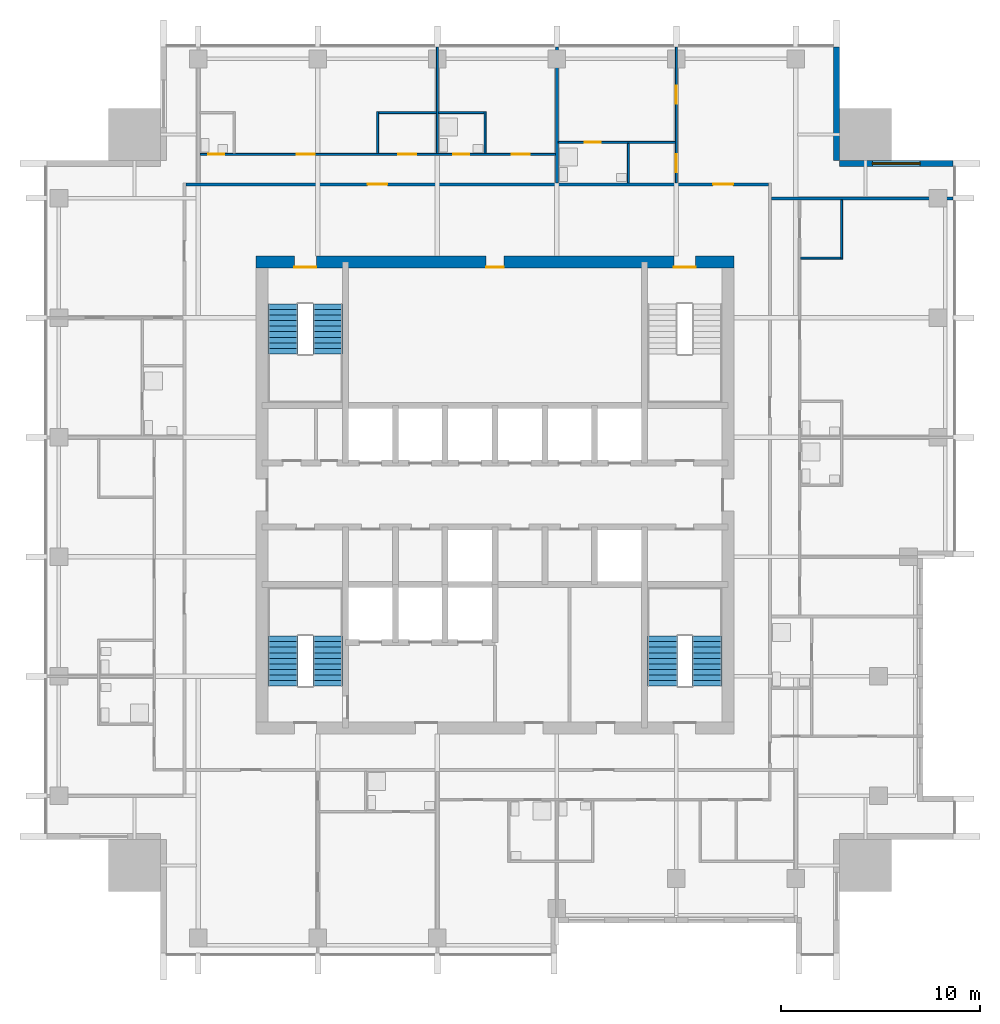
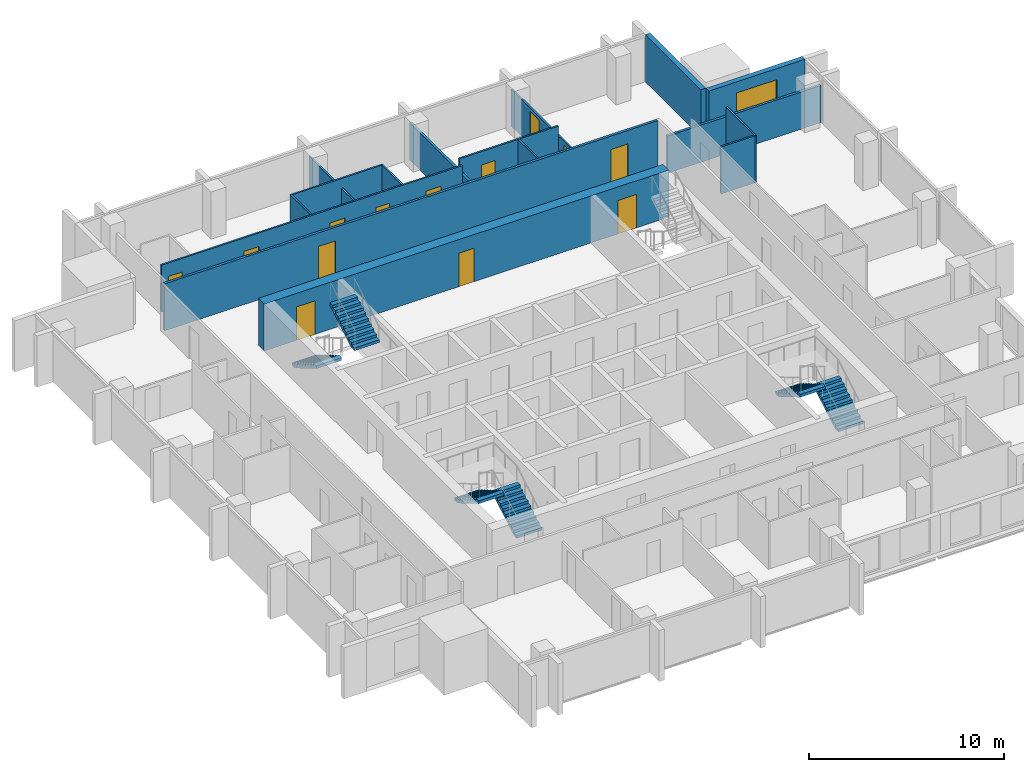
# One storey, part 7 of 10: 16 walls, 13 doors, 6 stair flights, 1 window, 14 openings, 3 elements without a shape of their own.
"""IFC4 building model written with IfcOpenShell, lengths in metres."""

from ifc_helpers import new_model, si_unit, direction, frame, frame_2d, origin, place, context, subcontext, project, spatial, polyline, rectangle, outline, extrude, material, layer, layer_set, type_object, element, fill, aggregate, save


model = new_model("IFC4")

# Units and contexts
model_context = context("Model", 3, precision=1e-05, world=origin(), true_north=direction((0.0, 1.0)))
body_context = subcontext(model_context, "Body", "Model", "MODEL_VIEW")
ifc_project = project(units=[si_unit("LENGTHUNIT", "METRE"), si_unit("AREAUNIT", "SQUARE_METRE"), si_unit("VOLUMEUNIT", "CUBIC_METRE"), si_unit("PLANEANGLEUNIT", "RADIAN"), si_unit("MASSUNIT", "GRAM", prefix="KILO")], contexts=[model_context])

# Site, building, storey
site_placement = place(None, origin())
site = spatial("IfcSite", under=ifc_project, at=site_placement, CompositionType="ELEMENT")
building_placement = place(site_placement, origin())
building = spatial("IfcBuilding", under=site, at=building_placement, Name="Amberfall Residences", CompositionType="ELEMENT")
storey_placement = place(building_placement, frame((0.0, 0.0, 226.60009765625)))
storey = spatial("IfcBuildingStorey", under=building, at=storey_placement, Name="L61", CompositionType="ELEMENT", Elevation=226.60009765625)

# Wall, opening, window
ifc_material_1 = material(Name="Pale stone cladding on insulated backing", Category="masonry")
ifc_layer_1 = layer(ifc_material_1, 0.300048828125)
ifc_layer_set_1 = layer_set([ifc_layer_1], Name="Bronze clad wall 300")
wall_type_1 = type_object("IfcWallType", Name="Bronze clad wall 300", PredefinedType="SOLIDWALL", material=ifc_layer_set_1)
wall_1_placement = place(storey_placement, frame((97.5, 62.14990234375, 0.0), z_axis=(0.0, 0.0, 1.0), x_axis=(-1.0, 0.0, 0.0)))
wall_1 = element("IfcWall", 1, at=wall_1_placement, inside=storey, type_object=wall_type_1, Name="External wall L61 NE", PredefinedType="SOLIDWALL", context=body_context, shape_type="SweptSolid", body=[
    extrude(rectangle(XDim=5.699951171875, YDim=0.300048828125, at=frame_2d((2.85009765625, 0.0))), origin(), (0.0, 0.0, 1.0), 2.949951171875),
])
opening_1_placement = place(wall_1_placement, frame((1.64990234375, 0.0, 0.14990234375)))
opening_1 = element("IfcOpeningElement", 2, at=opening_1_placement, cuts=wall_1, Name="Opening WN5", PredefinedType="OPENING", context=body_context, shape_type="SweptSolid", body=[
    extrude(rectangle(XDim=2.39990234375, YDim=2.10009765625, at=frame_2d((1.199951171875, 1.050048828125))), frame((0.0, 0.159912109375, 0.0), z_axis=(0.0, -1.0, 0.0), x_axis=(1.0, 0.0, 0.0)), (0.0, 0.0, 1.0), 0.320068359375),
])
ifc_material_2 = material(Name="Bronze aluminium framed glazing", Category="aluminium")
window_type = type_object("IfcWindowType", Name="Glazed opening 2400 x 2100 bronze", PartitioningType="DOUBLE_PANEL_VERTICAL", PredefinedType="WINDOW", material=ifc_material_2)
window_placement = place(opening_1_placement, origin())
window = element("IfcWindow", 3, at=window_placement, inside=storey, type_object=window_type, Name="Window L61 NE", OverallHeight=2.10009765625, OverallWidth=2.39990234375, PartitioningType="DOUBLE_PANEL_VERTICAL", PredefinedType="WINDOW", context=body_context, shape_type="SweptSolid", body=[
    extrude(rectangle(XDim=2.39990234375, YDim=2.10009765625, at=frame_2d((1.199951171875, 1.050048828125))), frame((0.0, 0.030029296875, 0.0), z_axis=(0.0, -1.0, 0.0), x_axis=(1.0, 0.0, 0.0)), (0.0, 0.0, 1.0), 0.06005859375),
])
fill(opening_1, window)

# Wall
wall_2_placement = place(storey_placement, frame((91.64990234375, 62.300048828125, 0.0), z_axis=(0.0, 0.0, 1.0), x_axis=(0.0, 1.0, 0.0)))
element("IfcWall", 4, at=wall_2_placement, inside=storey, type_object=wall_type_1, Name="External wall L61 NE", PredefinedType="SOLIDWALL", context=body_context, shape_type="SweptSolid", body=[
    extrude(rectangle(XDim=5.699951171875, YDim=0.300048828125, at=frame_2d((2.85009765625, 0.0))), origin(), (0.0, 0.0, 1.0), 2.949951171875),
])

# Wall, openings, doors
ifc_material_3 = material(Name="Concrete C55", Category="concrete")
ifc_layer_2 = layer(ifc_material_3, 0.60009765625)
ifc_layer_set_2 = layer_set([ifc_layer_2], Name="Core wall 600 C55")
wall_type_2 = type_object("IfcWallType", Name="Core wall 600 C55", PredefinedType="SHEAR", material=ifc_layer_set_2)
wall_3_placement = place(storey_placement, frame((62.5, 57.199951171875, 0.0), z_axis=(0.0, 0.0, 1.0), x_axis=(1.0, 0.0, 0.0)))
wall_3 = element("IfcWall", 5, at=wall_3_placement, inside=storey, type_object=wall_type_2, Name="Core wall RW7 L61 ON", PredefinedType="SHEAR", context=body_context, shape_type="SweptSolid", body=[
    extrude(rectangle(XDim=24.0, YDim=0.60009765625, at=frame_2d((12.0, 0.0))), origin(), (0.0, 0.0, 1.0), 2.949951171875),
])
opening_2_placement = place(wall_3_placement, frame((20.97509765625, 0.0, 0.0)))
opening_2 = element("IfcOpeningElement", 6, at=opening_2_placement, cuts=wall_3, Name="Opening SD1", PredefinedType="OPENING", context=body_context, shape_type="SweptSolid", body=[
    extrude(rectangle(XDim=1.10009765625, YDim=2.10009765625, at=frame_2d((0.550048828125, 1.050048828125))), frame((0.0, 0.31005859375, 0.0), z_axis=(0.0, -1.0, 0.0), x_axis=(1.0, 0.0, 0.0)), (0.0, 0.0, 1.0), 0.6201171875),
])
opening_3_placement = place(wall_3_placement, frame((1.925048828125, 0.0, 0.0)))
opening_3 = element("IfcOpeningElement", 7, at=opening_3_placement, cuts=wall_3, Name="Opening SD1", PredefinedType="OPENING", context=body_context, shape_type="SweptSolid", body=[
    extrude(rectangle(XDim=1.10009765625, YDim=2.10009765625, at=frame_2d((0.550048828125, 1.050048828125))), frame((0.0, 0.31005859375, 0.0), z_axis=(0.0, -1.0, 0.0), x_axis=(1.0, 0.0, 0.0)), (0.0, 0.0, 1.0), 0.6201171875),
])
opening_4_placement = place(wall_3_placement, frame((11.550048828125, 0.0, 0.0)))
opening_4 = element("IfcOpeningElement", 8, at=opening_4_placement, cuts=wall_3, Name="Opening RD1", PredefinedType="OPENING", context=body_context, shape_type="SweptSolid", body=[
    extrude(rectangle(XDim=0.89990234375, YDim=2.10009765625, at=frame_2d((0.449951171875, 1.050048828125))), frame((0.0, 0.31005859375, 0.0), z_axis=(0.0, -1.0, 0.0), x_axis=(1.0, 0.0, 0.0)), (0.0, 0.0, 1.0), 0.6201171875),
])
ifc_material_4 = material(Name="Steel fire door set", Category="steel")
door_type_1 = type_object("IfcDoorType", Name="Service room door 900 x 2100", OperationType="SINGLE_SWING_LEFT", PredefinedType="DOOR", material=ifc_material_4)
door_1_placement = place(opening_4_placement, origin())
door_1 = element("IfcDoor", 9, at=door_1_placement, inside=storey, type_object=door_type_1, Name="RD1 L61", OperationType="SINGLE_SWING_RIGHT", OverallHeight=2.10009765625, OverallWidth=0.89990234375, PredefinedType="DOOR", context=body_context, shape_type="SweptSolid", body=[
    extrude(rectangle(XDim=0.89990234375, YDim=2.10009765625, at=frame_2d((0.449951171875, 1.050048828125))), frame((0.0, -0.2373046875, 0.0), z_axis=(0.0, -1.0, 0.0), x_axis=(1.0, 0.0, 0.0)), (0.0, 0.0, 1.0), 0.050048828125),
])
fill(opening_4, door_1)
door_type_2 = type_object("IfcDoorType", Name="Stair door 1100 x 2100", OperationType="SINGLE_SWING_LEFT", PredefinedType="DOOR", material=ifc_material_4)
door_2_placement = place(opening_2_placement, origin())
door_2 = element("IfcDoor", 10, at=door_2_placement, inside=storey, type_object=door_type_2, Name="SD1 L61", OperationType="SINGLE_SWING_RIGHT", OverallHeight=2.10009765625, OverallWidth=1.10009765625, PredefinedType="DOOR", context=body_context, shape_type="SweptSolid", body=[
    extrude(rectangle(XDim=1.10009765625, YDim=2.10009765625, at=frame_2d((0.550048828125, 1.050048828125))), frame((0.0, -0.2373046875, 0.0), z_axis=(0.0, -1.0, 0.0), x_axis=(1.0, 0.0, 0.0)), (0.0, 0.0, 1.0), 0.050048828125),
])
fill(opening_2, door_2)
door_3_placement = place(opening_3_placement, origin())
door_3 = element("IfcDoor", 11, at=door_3_placement, inside=storey, type_object=door_type_2, Name="SD1 L61", OperationType="SINGLE_SWING_LEFT", OverallHeight=2.10009765625, OverallWidth=1.10009765625, PredefinedType="DOOR", context=body_context, shape_type="SweptSolid", body=[
    extrude(rectangle(XDim=1.10009765625, YDim=2.10009765625, at=frame_2d((0.550048828125, 1.050048828125))), frame((0.0, -0.2373046875, 0.0), z_axis=(0.0, -1.0, 0.0), x_axis=(1.0, 0.0, 0.0)), (0.0, 0.0, 1.0), 0.050048828125),
])
fill(opening_3, door_3)

# Walls
ifc_material_5 = material(Name="Gypsum board on metal stud")
ifc_layer_3 = layer(ifc_material_5, 0.10009765625)
ifc_layer_set_3 = layer_set([ifc_layer_3], Name="Flat partition 100")
wall_type_3 = type_object("IfcWallType", Name="Flat partition 100", PredefinedType="PARTITIONING", material=ifc_layer_set_3)
wall_4_placement = place(storey_placement, frame((68.60009765625, 62.64990234375, 0.0), z_axis=(0.0, 0.0, 1.0), x_axis=(0.0, 1.0, 0.0)))
element("IfcWall", 12, at=wall_4_placement, inside=storey, type_object=wall_type_3, Name="Partition 008", PredefinedType="PARTITIONING", context=body_context, shape_type="SweptSolid", body=[
    extrude(rectangle(XDim=2.10009765625, YDim=0.10009765625, at=frame_2d((1.050048828125, 0.0))), origin(), (0.0, 0.0, 1.0), 2.949951171875),
])
wall_5_placement = place(storey_placement, frame((71.60009765625, 62.64990234375, 0.0), z_axis=(0.0, 0.0, 1.0), x_axis=(0.0, 1.0, 0.0)))
element("IfcWall", 13, at=wall_5_placement, inside=storey, type_object=wall_type_3, Name="Partition 009", PredefinedType="PARTITIONING", context=body_context, shape_type="SweptSolid", body=[
    extrude(rectangle(XDim=5.35009765625, YDim=0.10009765625, at=frame_2d((2.675048828125, 0.0))), origin(), (0.0, 0.0, 1.0), 2.331787109375),
])
wall_6_placement = place(storey_placement, frame((74.0, 62.64990234375, 0.0), z_axis=(0.0, 0.0, 1.0), x_axis=(0.0, 1.0, 0.0)))
element("IfcWall", 14, at=wall_6_placement, inside=storey, type_object=wall_type_3, Name="Partition 010", PredefinedType="PARTITIONING", context=body_context, shape_type="SweptSolid", body=[
    extrude(rectangle(XDim=2.10009765625, YDim=0.10009765625, at=frame_2d((1.050048828125, 0.0))), origin(), (0.0, 0.0, 1.0), 2.949951171875),
])
wall_7_placement = place(storey_placement, frame((81.199951171875, 61.175048828125, 0.0), z_axis=(0.0, 0.0, 1.0), x_axis=(0.0, 1.0, 0.0)))
element("IfcWall", 15, at=wall_7_placement, inside=storey, type_object=wall_type_3, Name="Partition 014", PredefinedType="PARTITIONING", context=body_context, shape_type="SweptSolid", body=[
    extrude(rectangle(XDim=1.974853515625, YDim=0.10009765625, at=frame_2d((0.9873046875, 0.0))), origin(), (0.0, 0.0, 1.0), 2.949951171875),
])

# Wall, openings, doors
wall_8_placement = place(storey_placement, frame((83.60009765625, 61.175048828125, 0.0), z_axis=(0.0, 0.0, 1.0), x_axis=(0.0, 1.0, 0.0)))
wall_8 = element("IfcWall", 16, at=wall_8_placement, inside=storey, type_object=wall_type_3, Name="Partition 015", PredefinedType="PARTITIONING", context=body_context, shape_type="SweptSolid", body=[
    extrude(rectangle(XDim=6.824951171875, YDim=0.10009765625, at=frame_2d((3.41259765625, 0.0))), origin(), (0.0, 0.0, 1.0), 2.331787109375),
])
opening_5_placement = place(wall_8_placement, frame((0.52490234375, 0.0, 0.0)))
opening_5 = element("IfcOpeningElement", 17, at=opening_5_placement, cuts=wall_8, Name="Opening D41", PredefinedType="OPENING", context=body_context, shape_type="SweptSolid", body=[
    extrude(rectangle(XDim=0.89990234375, YDim=2.10009765625, at=frame_2d((0.449951171875, 1.050048828125))), frame((0.0, 0.06005859375, 0.0), z_axis=(0.0, -1.0, 0.0), x_axis=(1.0, 0.0, 0.0)), (0.0, 0.0, 1.0), 0.1201171875),
])
opening_6_placement = place(wall_8_placement, frame((3.97509765625, 0.0, 0.0)))
opening_6 = element("IfcOpeningElement", 18, at=opening_6_placement, cuts=wall_8, Name="Opening D41", PredefinedType="OPENING", context=body_context, shape_type="SweptSolid", body=[
    extrude(rectangle(XDim=0.89990234375, YDim=2.10009765625, at=frame_2d((0.449951171875, 1.050048828125))), frame((0.0, 0.06005859375, 0.0), z_axis=(0.0, -1.0, 0.0), x_axis=(1.0, 0.0, 0.0)), (0.0, 0.0, 1.0), 0.1201171875),
])
ifc_material_6 = material(Name="Timber", Category="wood")
door_type_3 = type_object("IfcDoorType", Name="Internal door 900 x 2100", OperationType="SINGLE_SWING_LEFT", PredefinedType="DOOR", material=ifc_material_6)
door_4_placement = place(opening_5_placement, origin())
door_4 = element("IfcDoor", 19, at=door_4_placement, inside=storey, type_object=door_type_3, Name="Door 6106 kitchen", OperationType="SINGLE_SWING_LEFT", OverallHeight=2.10009765625, OverallWidth=0.89990234375, PredefinedType="DOOR", context=body_context, shape_type="SweptSolid", body=[
    extrude(rectangle(XDim=0.89990234375, YDim=2.10009765625, at=frame_2d((0.449951171875, 1.050048828125))), frame((0.0, 0.02490234375, 0.0), z_axis=(0.0, -1.0, 0.0), x_axis=(1.0, 0.0, 0.0)), (0.0, 0.0, 1.0), 0.050048828125),
])
fill(opening_5, door_4)
door_5_placement = place(opening_6_placement, origin())
door_5 = element("IfcDoor", 20, at=door_5_placement, inside=storey, type_object=door_type_3, Name="Door 6106 bedroom1", OperationType="SINGLE_SWING_LEFT", OverallHeight=2.10009765625, OverallWidth=0.89990234375, PredefinedType="DOOR", context=body_context, shape_type="SweptSolid", body=[
    extrude(rectangle(XDim=0.89990234375, YDim=2.10009765625, at=frame_2d((0.449951171875, 1.050048828125))), frame((0.0, 0.02490234375, 0.0), z_axis=(0.0, -1.0, 0.0), x_axis=(1.0, 0.0, 0.0)), (0.0, 0.0, 1.0), 0.050048828125),
])
fill(opening_6, door_5)

# Walls
wall_9_placement = place(storey_placement, frame((91.89990234375, 57.35009765625, 0.0), z_axis=(0.0, 0.0, 1.0), x_axis=(0.0, 1.0, 0.0)))
element("IfcWall", 21, at=wall_9_placement, inside=storey, type_object=wall_type_3, Name="Partition 022", PredefinedType="PARTITIONING", context=body_context, shape_type="SweptSolid", body=[
    extrude(rectangle(XDim=2.974853515625, YDim=0.10009765625, at=frame_2d((1.4873046875, 0.0))), origin(), (0.0, 0.0, 1.0), 2.949951171875),
])
wall_10_placement = place(storey_placement, frame((68.64990234375, 64.699951171875, 0.0), z_axis=(0.0, 0.0, 1.0), x_axis=(1.0, 0.0, 0.0)))
element("IfcWall", 22, at=wall_10_placement, inside=storey, type_object=wall_type_3, Name="Partition 024", PredefinedType="PARTITIONING", context=body_context, shape_type="SweptSolid", body=[
    extrude(rectangle(XDim=5.300048828125, YDim=0.10009765625, at=frame_2d((2.64990234375, 0.0))), origin(), (0.0, 0.0, 1.0), 2.949951171875),
])

# Wall, opening, door
wall_11_placement = place(storey_placement, frame((83.550048828125, 63.199951171875, 0.0), z_axis=(0.0, 0.0, 1.0), x_axis=(-1.0, 0.0, 0.0)))
wall_11 = element("IfcWall", 23, at=wall_11_placement, inside=storey, type_object=wall_type_3, Name="Partition 025", PredefinedType="PARTITIONING", context=body_context, shape_type="SweptSolid", body=[
    extrude(rectangle(XDim=5.875, YDim=0.10009765625, at=frame_2d((2.9375, 0.0))), origin(), (0.0, 0.0, 1.0), 2.949951171875),
])
opening_7_placement = place(wall_11_placement, frame((3.75, 0.0, 0.0)))
opening_7 = element("IfcOpeningElement", 24, at=opening_7_placement, cuts=wall_11, Name="Opening D42", PredefinedType="OPENING", context=body_context, shape_type="SweptSolid", body=[
    extrude(rectangle(XDim=0.800048828125, YDim=2.10009765625, at=frame_2d((0.39990234375, 1.050048828125))), frame((0.0, 0.06005859375, 0.0), z_axis=(0.0, -1.0, 0.0), x_axis=(1.0, 0.0, 0.0)), (0.0, 0.0, 1.0), 0.1201171875),
])
door_type_4 = type_object("IfcDoorType", Name="Bathroom door 800 x 2100", OperationType="SINGLE_SWING_LEFT", PredefinedType="DOOR", material=ifc_material_6)
door_6_placement = place(opening_7_placement, origin())
door_6 = element("IfcDoor", 25, at=door_6_placement, inside=storey, type_object=door_type_4, Name="Door 6106 bath1", OperationType="SINGLE_SWING_LEFT", OverallHeight=2.10009765625, OverallWidth=0.800048828125, PredefinedType="DOOR", context=body_context, shape_type="SweptSolid", body=[
    extrude(rectangle(XDim=0.800048828125, YDim=2.10009765625, at=frame_2d((0.39990234375, 1.050048828125))), frame((0.0, 0.02490234375, 0.0), z_axis=(0.0, -1.0, 0.0), x_axis=(1.0, 0.0, 0.0)), (0.0, 0.0, 1.0), 0.050048828125),
])
fill(opening_7, door_6)

# Wall, openings, doors
wall_12_placement = place(storey_placement, frame((59.675048828125, 62.60009765625, 0.0), z_axis=(0.0, 0.0, 1.0), x_axis=(1.0, 0.0, 0.0)))
wall_12 = element("IfcWall", 26, at=wall_12_placement, inside=storey, type_object=wall_type_3, Name="Partition 026", PredefinedType="PARTITIONING", context=body_context, shape_type="SweptSolid", body=[
    extrude(rectangle(XDim=17.849853515625, YDim=0.10009765625, at=frame_2d((8.9248046875, 0.0))), origin(), (0.0, 0.0, 1.0), 2.949951171875),
])
opening_8_placement = place(wall_12_placement, frame((4.875, 0.0, 0.0)))
opening_8 = element("IfcOpeningElement", 27, at=opening_8_placement, cuts=wall_12, Name="Opening D41", PredefinedType="OPENING", context=body_context, shape_type="SweptSolid", body=[
    extrude(rectangle(XDim=0.89990234375, YDim=2.10009765625, at=frame_2d((0.449951171875, 1.050048828125))), frame((0.0, 0.06005859375, 0.0), z_axis=(0.0, -1.0, 0.0), x_axis=(1.0, 0.0, 0.0)), (0.0, 0.0, 1.0), 0.1201171875),
])
opening_9_placement = place(wall_12_placement, frame((9.97509765625, 0.0, 0.0)))
opening_9 = element("IfcOpeningElement", 28, at=opening_9_placement, cuts=wall_12, Name="Opening D41", PredefinedType="OPENING", context=body_context, shape_type="SweptSolid", body=[
    extrude(rectangle(XDim=0.89990234375, YDim=2.10009765625, at=frame_2d((0.449951171875, 1.050048828125))), frame((0.0, 0.06005859375, 0.0), z_axis=(0.0, -1.0, 0.0), x_axis=(1.0, 0.0, 0.0)), (0.0, 0.0, 1.0), 0.1201171875),
])
opening_10_placement = place(wall_12_placement, frame((0.425048828125, 0.0, 0.0)))
opening_10 = element("IfcOpeningElement", 29, at=opening_10_placement, cuts=wall_12, Name="Opening D42", PredefinedType="OPENING", context=body_context, shape_type="SweptSolid", body=[
    extrude(rectangle(XDim=0.800048828125, YDim=2.10009765625, at=frame_2d((0.39990234375, 1.050048828125))), frame((0.0, 0.06005859375, 0.0), z_axis=(0.0, -1.0, 0.0), x_axis=(1.0, 0.0, 0.0)), (0.0, 0.0, 1.0), 0.1201171875),
])
opening_11_placement = place(wall_12_placement, frame((15.675048828125, 0.0, 0.0)))
opening_11 = element("IfcOpeningElement", 30, at=opening_11_placement, cuts=wall_12, Name="Opening D41", PredefinedType="OPENING", context=body_context, shape_type="SweptSolid", body=[
    extrude(rectangle(XDim=0.89990234375, YDim=2.10009765625, at=frame_2d((0.449951171875, 1.050048828125))), frame((0.0, 0.06005859375, 0.0), z_axis=(0.0, -1.0, 0.0), x_axis=(1.0, 0.0, 0.0)), (0.0, 0.0, 1.0), 0.1201171875),
])
opening_12_placement = place(wall_12_placement, frame((12.72509765625, 0.0, 0.0)))
opening_12 = element("IfcOpeningElement", 31, at=opening_12_placement, cuts=wall_12, Name="Opening D42", PredefinedType="OPENING", context=body_context, shape_type="SweptSolid", body=[
    extrude(rectangle(XDim=0.800048828125, YDim=2.10009765625, at=frame_2d((0.39990234375, 1.050048828125))), frame((0.0, 0.06005859375, 0.0), z_axis=(0.0, -1.0, 0.0), x_axis=(1.0, 0.0, 0.0)), (0.0, 0.0, 1.0), 0.1201171875),
])
door_7_placement = place(opening_10_placement, origin())
door_7 = element("IfcDoor", 32, at=door_7_placement, inside=storey, type_object=door_type_4, Name="Door 6105 wc1", OperationType="SINGLE_SWING_LEFT", OverallHeight=2.10009765625, OverallWidth=0.800048828125, PredefinedType="DOOR", context=body_context, shape_type="SweptSolid", body=[
    extrude(rectangle(XDim=0.800048828125, YDim=2.10009765625, at=frame_2d((0.39990234375, 1.050048828125))), frame((0.0, 0.02490234375, 0.0), z_axis=(0.0, -1.0, 0.0), x_axis=(1.0, 0.0, 0.0)), (0.0, 0.0, 1.0), 0.050048828125),
])
fill(opening_10, door_7)
door_8_placement = place(opening_12_placement, origin())
door_8 = element("IfcDoor", 33, at=door_8_placement, inside=storey, type_object=door_type_4, Name="Door 6105 bath1", OperationType="SINGLE_SWING_LEFT", OverallHeight=2.10009765625, OverallWidth=0.800048828125, PredefinedType="DOOR", context=body_context, shape_type="SweptSolid", body=[
    extrude(rectangle(XDim=0.800048828125, YDim=2.10009765625, at=frame_2d((0.39990234375, 1.050048828125))), frame((0.0, 0.02490234375, 0.0), z_axis=(0.0, -1.0, 0.0), x_axis=(1.0, 0.0, 0.0)), (0.0, 0.0, 1.0), 0.050048828125),
])
fill(opening_12, door_8)
door_9_placement = place(opening_8_placement, origin())
door_9 = element("IfcDoor", 34, at=door_9_placement, inside=storey, type_object=door_type_3, Name="Door 6105 living", OperationType="SINGLE_SWING_LEFT", OverallHeight=2.10009765625, OverallWidth=0.89990234375, PredefinedType="DOOR", context=body_context, shape_type="SweptSolid", body=[
    extrude(rectangle(XDim=0.89990234375, YDim=2.10009765625, at=frame_2d((0.449951171875, 1.050048828125))), frame((0.0, 0.02490234375, 0.0), z_axis=(0.0, -1.0, 0.0), x_axis=(1.0, 0.0, 0.0)), (0.0, 0.0, 1.0), 0.050048828125),
])
fill(opening_8, door_9)
door_10_placement = place(opening_9_placement, origin())
door_10 = element("IfcDoor", 35, at=door_10_placement, inside=storey, type_object=door_type_3, Name="Door 6105 kitchen", OperationType="SINGLE_SWING_LEFT", OverallHeight=2.10009765625, OverallWidth=0.89990234375, PredefinedType="DOOR", context=body_context, shape_type="SweptSolid", body=[
    extrude(rectangle(XDim=0.89990234375, YDim=2.10009765625, at=frame_2d((0.449951171875, 1.050048828125))), frame((0.0, 0.02490234375, 0.0), z_axis=(0.0, -1.0, 0.0), x_axis=(1.0, 0.0, 0.0)), (0.0, 0.0, 1.0), 0.050048828125),
])
fill(opening_9, door_10)
door_11_placement = place(opening_11_placement, origin())
door_11 = element("IfcDoor", 36, at=door_11_placement, inside=storey, type_object=door_type_3, Name="Door 6105 bedroom1", OperationType="SINGLE_SWING_LEFT", OverallHeight=2.10009765625, OverallWidth=0.89990234375, PredefinedType="DOOR", context=body_context, shape_type="SweptSolid", body=[
    extrude(rectangle(XDim=0.89990234375, YDim=2.10009765625, at=frame_2d((0.449951171875, 1.050048828125))), frame((0.0, 0.02490234375, 0.0), z_axis=(0.0, -1.0, 0.0), x_axis=(1.0, 0.0, 0.0)), (0.0, 0.0, 1.0), 0.050048828125),
])
fill(opening_11, door_11)

# Walls
wall_13_placement = place(storey_placement, frame((89.85009765625, 57.39990234375, 0.0), z_axis=(0.0, 0.0, 1.0), x_axis=(1.0, 0.0, 0.0)))
element("IfcWall", 37, at=wall_13_placement, inside=storey, type_object=wall_type_3, Name="Partition 027", PredefinedType="PARTITIONING", context=body_context, shape_type="SweptSolid", body=[
    extrude(rectangle(XDim=2.0, YDim=0.10009765625, at=frame_2d((1.0, 0.0))), origin(), (0.0, 0.0, 1.0), 2.949951171875),
])
ifc_material_7 = material(Name="Blockwork, plastered", Category="masonry")
ifc_layer_4 = layer(ifc_material_7, 0.14990234375)
ifc_layer_set_4 = layer_set([ifc_layer_4], Name="Flat separating wall 150")
wall_type_4 = type_object("IfcWallType", Name="Flat separating wall 150", PredefinedType="PARTITIONING", material=ifc_layer_set_4)
wall_14_placement = place(storey_placement, frame((77.60009765625, 61.175048828125, 0.0), z_axis=(0.0, 0.0, 1.0), x_axis=(0.0, 1.0, 0.0)))
element("IfcWall", 38, at=wall_14_placement, inside=storey, type_object=wall_type_4, Name="Separating wall 048", PredefinedType="PARTITIONING", context=body_context, shape_type="SweptSolid", body=[
    extrude(rectangle(XDim=6.824951171875, YDim=0.14990234375, at=frame_2d((3.41259765625, 0.0))), origin(), (0.0, 0.0, 1.0), 2.331787109375),
])

# Wall, openings, doors
wall_15_placement = place(storey_placement, frame((58.97509765625, 61.10009765625, 0.0), z_axis=(0.0, 0.0, 1.0), x_axis=(1.0, 0.0, 0.0)))
wall_15 = element("IfcWall", 39, at=wall_15_placement, inside=storey, type_object=wall_type_4, Name="Separating wall 051", PredefinedType="PARTITIONING", context=body_context, shape_type="SweptSolid", body=[
    extrude(rectangle(XDim=29.25, YDim=0.14990234375, at=frame_2d((14.625, 0.0))), origin(), (0.0, 0.0, 1.0), 2.949951171875),
])
opening_13_placement = place(wall_15_placement, frame((9.125, 0.0, 0.0)))
opening_13 = element("IfcOpeningElement", 40, at=opening_13_placement, cuts=wall_15, Name="Opening D40", PredefinedType="OPENING", context=body_context, shape_type="SweptSolid", body=[
    extrude(rectangle(XDim=1.0, YDim=2.10009765625, at=frame_2d((0.5, 1.050048828125))), frame((0.0, 0.0849609375, 0.0), z_axis=(0.0, -1.0, 0.0), x_axis=(1.0, 0.0, 0.0)), (0.0, 0.0, 1.0), 0.169921875),
])
opening_14_placement = place(wall_15_placement, frame((26.47509765625, 0.0, 0.0)))
opening_14 = element("IfcOpeningElement", 41, at=opening_14_placement, cuts=wall_15, Name="Opening D40", PredefinedType="OPENING", context=body_context, shape_type="SweptSolid", body=[
    extrude(rectangle(XDim=1.0, YDim=2.10009765625, at=frame_2d((0.5, 1.050048828125))), frame((0.0, 0.0849609375, 0.0), z_axis=(0.0, -1.0, 0.0), x_axis=(1.0, 0.0, 0.0)), (0.0, 0.0, 1.0), 0.169921875),
])
ifc_material_8 = material(Name="Timber, fire-rated", Category="wood")
door_type_5 = type_object("IfcDoorType", Name="Flat entrance door FD60 1000 x 2100", OperationType="SINGLE_SWING_LEFT", PredefinedType="DOOR", material=ifc_material_8)
door_12_placement = place(opening_13_placement, origin())
door_12 = element("IfcDoor", 42, at=door_12_placement, inside=storey, type_object=door_type_5, Name="Door 6105 entrance", OperationType="SINGLE_SWING_LEFT", OverallHeight=2.10009765625, OverallWidth=1.0, PredefinedType="DOOR", context=body_context, shape_type="SweptSolid", body=[
    extrude(rectangle(XDim=1.0, YDim=2.10009765625, at=frame_2d((0.5, 1.050048828125))), frame((0.0, 0.02490234375, 0.0), z_axis=(0.0, -1.0, 0.0), x_axis=(1.0, 0.0, 0.0)), (0.0, 0.0, 1.0), 0.050048828125),
])
fill(opening_13, door_12)
door_13_placement = place(opening_14_placement, origin())
door_13 = element("IfcDoor", 43, at=door_13_placement, inside=storey, type_object=door_type_5, Name="Door 6106 entrance", OperationType="SINGLE_SWING_LEFT", OverallHeight=2.10009765625, OverallWidth=1.0, PredefinedType="DOOR", context=body_context, shape_type="SweptSolid", body=[
    extrude(rectangle(XDim=1.0, YDim=2.10009765625, at=frame_2d((0.5, 1.050048828125))), frame((0.0, 0.02490234375, 0.0), z_axis=(0.0, -1.0, 0.0), x_axis=(1.0, 0.0, 0.0)), (0.0, 0.0, 1.0), 0.050048828125),
])
fill(opening_14, door_13)

# Wall
wall_16_placement = place(storey_placement, frame((88.375, 60.39990234375, 0.0), z_axis=(0.0, 0.0, 1.0), x_axis=(1.0, 0.0, 0.0)))
element("IfcWall", 44, at=wall_16_placement, inside=storey, type_object=wall_type_4, Name="Separating wall 052", PredefinedType="PARTITIONING", context=body_context, shape_type="SweptSolid", body=[
    extrude(rectangle(XDim=9.125, YDim=0.14990234375, at=frame_2d((4.5625, 0.0))), origin(), (0.0, 0.0, 1.0), 2.331787109375),
])

# Stair, stair flights
ifc_material_9 = material(Name="Concrete C40", Category="concrete")
stair_type = type_object("IfcStairType", Name="Exit stair 20 risers 165.0 mm", PredefinedType="HALF_TURN_STAIR", material=ifc_material_9)
stair_1_placement = place(storey_placement, origin())
stair_1 = element("IfcStair", 45, at=stair_1_placement, inside=storey, type_object=stair_type, Name="L61 Exit stair 1", PredefinedType="HALF_TURN_STAIR")
stair_flight_type = type_object("IfcStairFlightType", Name="Stair flight 10 risers 165.0 mm", PredefinedType="STRAIGHT", material=ifc_material_9)
stair_flight_1_placement = place(storey_placement, frame((66.10009765625, 35.89990234375, 0.0), z_axis=(0.0, 0.0, 1.0), x_axis=(0.0, 1.0, 0.0)))
stair_flight_1 = element("IfcStairFlight", 46, at=stair_flight_1_placement, type_object=stair_flight_type, Name="ST3 flight 1", NumberOfRisers=10, NumberOfTreads=9, PredefinedType="STRAIGHT", RiserHeight=0.165, TreadLength=0.28, context=body_context, shape_type="SweptSolid", body=[
    extrude(outline(polyline([(0.0, 0.0), (0.0, 0.1650390625), (0.280029296875, 0.1650390625), (0.280029296875, 0.330078125), (0.56005859375, 0.330078125), (0.56005859375, 0.4951171875), (0.840087890625, 0.4951171875), (0.840087890625, 0.659912109375), (1.1201171875, 0.659912109375), (1.1201171875, 0.824951171875), (1.39990234375, 0.824951171875), (1.39990234375, 0.989990234375), (1.679931640625, 0.989990234375), (1.679931640625, 1.155029296875), (1.9599609375, 1.155029296875), (1.9599609375, 1.320068359375), (2.239990234375, 1.320068359375), (2.239990234375, 1.485107421875), (2.52001953125, 1.485107421875), (2.52001953125, 1.64990234375), (2.52001953125, 1.31103515625), (0.295166015625, 0.0), (0.0, 0.0)])), frame((0.0, 0.75, 0.0), z_axis=(0.0, -1.0, 0.0), x_axis=(1.0, 0.0, 0.0)), (0.0, 0.0, 1.0), 1.5),
])
stair_flight_2_placement = place(storey_placement, frame((63.85009765625, 38.419921875, 1.64990234375), z_axis=(0.0, 0.0, 1.0), x_axis=(0.0, -1.0, 0.0)))
stair_flight_2 = element("IfcStairFlight", 47, at=stair_flight_2_placement, type_object=stair_flight_type, Name="ST3 flight 2", NumberOfRisers=10, NumberOfTreads=9, PredefinedType="STRAIGHT", RiserHeight=0.165, TreadLength=0.28, context=body_context, shape_type="SweptSolid", body=[
    extrude(outline(polyline([(0.0, 0.0), (0.0, 0.1650390625), (0.280029296875, 0.1650390625), (0.280029296875, 0.330078125), (0.56005859375, 0.330078125), (0.56005859375, 0.4951171875), (0.840087890625, 0.4951171875), (0.840087890625, 0.659912109375), (1.1201171875, 0.659912109375), (1.1201171875, 0.824951171875), (1.39990234375, 0.824951171875), (1.39990234375, 0.989990234375), (1.679931640625, 0.989990234375), (1.679931640625, 1.155029296875), (1.9599609375, 1.155029296875), (1.9599609375, 1.320068359375), (2.239990234375, 1.320068359375), (2.239990234375, 1.485107421875), (2.52001953125, 1.485107421875), (2.52001953125, 1.64990234375), (2.52001953125, 1.31103515625), (0.295166015625, 0.0), (0.0, 0.0)])), frame((0.0, 0.75, 0.0), z_axis=(0.0, -1.0, 0.0), x_axis=(1.0, 0.0, 0.0)), (0.0, 0.0, 1.0), 1.5),
])
aggregate(stair_1, [stair_flight_1, stair_flight_2])

stair_2_placement = place(storey_placement, origin())
stair_2 = element("IfcStair", 48, at=stair_2_placement, inside=storey, type_object=stair_type, Name="L61 Exit stair 2", PredefinedType="HALF_TURN_STAIR")
stair_flight_3_placement = place(storey_placement, frame((85.14990234375, 35.89990234375, 0.0), z_axis=(0.0, 0.0, 1.0), x_axis=(0.0, 1.0, 0.0)))
stair_flight_3 = element("IfcStairFlight", 49, at=stair_flight_3_placement, type_object=stair_flight_type, Name="ST3 flight 1", NumberOfRisers=10, NumberOfTreads=9, PredefinedType="STRAIGHT", RiserHeight=0.165, TreadLength=0.28, context=body_context, shape_type="SweptSolid", body=[
    extrude(outline(polyline([(0.0, 0.0), (0.0, 0.1650390625), (0.280029296875, 0.1650390625), (0.280029296875, 0.330078125), (0.56005859375, 0.330078125), (0.56005859375, 0.4951171875), (0.840087890625, 0.4951171875), (0.840087890625, 0.659912109375), (1.1201171875, 0.659912109375), (1.1201171875, 0.824951171875), (1.39990234375, 0.824951171875), (1.39990234375, 0.989990234375), (1.679931640625, 0.989990234375), (1.679931640625, 1.155029296875), (1.9599609375, 1.155029296875), (1.9599609375, 1.320068359375), (2.239990234375, 1.320068359375), (2.239990234375, 1.485107421875), (2.52001953125, 1.485107421875), (2.52001953125, 1.64990234375), (2.52001953125, 1.31103515625), (0.295166015625, 0.0), (0.0, 0.0)])), frame((0.0, 0.75, 0.0), z_axis=(0.0, -1.0, 0.0), x_axis=(1.0, 0.0, 0.0)), (0.0, 0.0, 1.0), 1.5),
])
stair_flight_4_placement = place(storey_placement, frame((82.89990234375, 38.419921875, 1.64990234375), z_axis=(0.0, 0.0, 1.0), x_axis=(0.0, -1.0, 0.0)))
stair_flight_4 = element("IfcStairFlight", 50, at=stair_flight_4_placement, type_object=stair_flight_type, Name="ST3 flight 2", NumberOfRisers=10, NumberOfTreads=9, PredefinedType="STRAIGHT", RiserHeight=0.165, TreadLength=0.28, context=body_context, shape_type="SweptSolid", body=[
    extrude(outline(polyline([(0.0, 0.0), (0.0, 0.1650390625), (0.280029296875, 0.1650390625), (0.280029296875, 0.330078125), (0.56005859375, 0.330078125), (0.56005859375, 0.4951171875), (0.840087890625, 0.4951171875), (0.840087890625, 0.659912109375), (1.1201171875, 0.659912109375), (1.1201171875, 0.824951171875), (1.39990234375, 0.824951171875), (1.39990234375, 0.989990234375), (1.679931640625, 0.989990234375), (1.679931640625, 1.155029296875), (1.9599609375, 1.155029296875), (1.9599609375, 1.320068359375), (2.239990234375, 1.320068359375), (2.239990234375, 1.485107421875), (2.52001953125, 1.485107421875), (2.52001953125, 1.64990234375), (2.52001953125, 1.31103515625), (0.295166015625, 0.0), (0.0, 0.0)])), frame((0.0, 0.75, 0.0), z_axis=(0.0, -1.0, 0.0), x_axis=(1.0, 0.0, 0.0)), (0.0, 0.0, 1.0), 1.5),
])
aggregate(stair_2, [stair_flight_3, stair_flight_4])

stair_3_placement = place(storey_placement, origin())
stair_3 = element("IfcStair", 51, at=stair_3_placement, inside=storey, type_object=stair_type, Name="L61 Exit stair 4", PredefinedType="HALF_TURN_STAIR")
stair_flight_5_placement = place(storey_placement, frame((63.85009765625, 55.10009765625, 0.0), z_axis=(0.0, 0.0, 1.0), x_axis=(0.0, -1.0, 0.0)))
stair_flight_5 = element("IfcStairFlight", 52, at=stair_flight_5_placement, type_object=stair_flight_type, Name="ST3 flight 1", NumberOfRisers=10, NumberOfTreads=9, PredefinedType="STRAIGHT", RiserHeight=0.165, TreadLength=0.28, context=body_context, shape_type="SweptSolid", body=[
    extrude(outline(polyline([(0.0, 0.0), (0.0, 0.1650390625), (0.280029296875, 0.1650390625), (0.280029296875, 0.330078125), (0.56005859375, 0.330078125), (0.56005859375, 0.4951171875), (0.840087890625, 0.4951171875), (0.840087890625, 0.659912109375), (1.1201171875, 0.659912109375), (1.1201171875, 0.824951171875), (1.39990234375, 0.824951171875), (1.39990234375, 0.989990234375), (1.679931640625, 0.989990234375), (1.679931640625, 1.155029296875), (1.9599609375, 1.155029296875), (1.9599609375, 1.320068359375), (2.239990234375, 1.320068359375), (2.239990234375, 1.485107421875), (2.52001953125, 1.485107421875), (2.52001953125, 1.64990234375), (2.52001953125, 1.31103515625), (0.295166015625, 0.0), (0.0, 0.0)])), frame((0.0, 0.75, 0.0), z_axis=(0.0, -1.0, 0.0), x_axis=(1.0, 0.0, 0.0)), (0.0, 0.0, 1.0), 1.5),
])
stair_flight_6_placement = place(storey_placement, frame((66.10009765625, 52.580078125, 1.64990234375), z_axis=(0.0, 0.0, 1.0), x_axis=(0.0, 1.0, 0.0)))
stair_flight_6 = element("IfcStairFlight", 53, at=stair_flight_6_placement, type_object=stair_flight_type, Name="ST3 flight 2", NumberOfRisers=10, NumberOfTreads=9, PredefinedType="STRAIGHT", RiserHeight=0.165, TreadLength=0.28, context=body_context, shape_type="SweptSolid", body=[
    extrude(outline(polyline([(0.0, 0.0), (0.0, 0.1650390625), (0.280029296875, 0.1650390625), (0.280029296875, 0.330078125), (0.56005859375, 0.330078125), (0.56005859375, 0.4951171875), (0.840087890625, 0.4951171875), (0.840087890625, 0.659912109375), (1.1201171875, 0.659912109375), (1.1201171875, 0.824951171875), (1.39990234375, 0.824951171875), (1.39990234375, 0.989990234375), (1.679931640625, 0.989990234375), (1.679931640625, 1.155029296875), (1.9599609375, 1.155029296875), (1.9599609375, 1.320068359375), (2.239990234375, 1.320068359375), (2.239990234375, 1.485107421875), (2.52001953125, 1.485107421875), (2.52001953125, 1.64990234375), (2.52001953125, 1.31103515625), (0.295166015625, 0.0), (0.0, 0.0)])), frame((0.0, 0.75, 0.0), z_axis=(0.0, -1.0, 0.0), x_axis=(1.0, 0.0, 0.0)), (0.0, 0.0, 1.0), 1.5),
])
aggregate(stair_3, [stair_flight_5, stair_flight_6])

save(model, "model.ifc")
